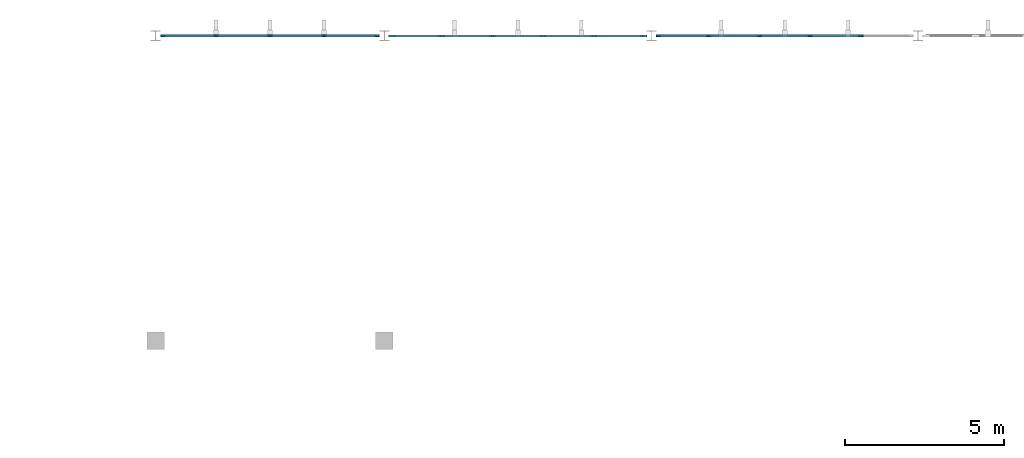
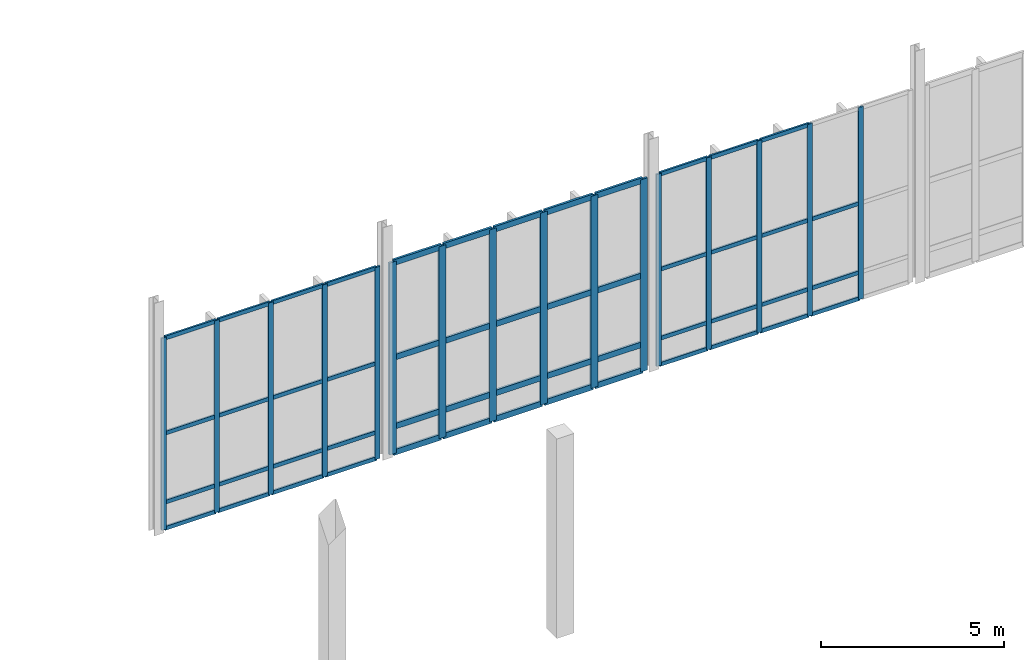
# One storey, part 30 of 67: 67 members, 3 elements without a shape of their own.
"""IFC4 building model written with IfcOpenShell, lengths in metres."""

from ifc_helpers import new_model, si_unit, direction, frame, origin, origin_2d, place, context, subcontext, project, spatial, rectangle, extrude, material, material_profile, profile_set, type_object, element, aggregate, save


model = new_model("IFC4")

# Units and contexts
model_context = context("Model", 3, precision=1e-05, world=origin(), true_north=direction((0.0, 1.0)))
body_context = subcontext(model_context, "Body", "Model", "MODEL_VIEW")
ifc_project = project(units=[si_unit("LENGTHUNIT", "METRE"), si_unit("AREAUNIT", "SQUARE_METRE"), si_unit("VOLUMEUNIT", "CUBIC_METRE"), si_unit("PLANEANGLEUNIT", "RADIAN"), si_unit("MASSUNIT", "GRAM", prefix="KILO")], contexts=[model_context])

# Site, building, storey
site_placement = place(None, origin())
site = spatial("IfcSite", under=ifc_project, at=site_placement, CompositionType="ELEMENT")
building_placement = place(site_placement, origin())
building = spatial("IfcBuilding", under=site, at=building_placement, Name="Tizgana Railside Sports Hall", CompositionType="ELEMENT")
storey_placement = place(building_placement, frame((0.0, 0.0, 12.0)))
storey = spatial("IfcBuildingStorey", under=building, at=storey_placement, Name="L02", CompositionType="ELEMENT", Elevation=12.0)

# Curtain wall, members
ifc_material_1 = material(Name="Anodised aluminium and glass", Category="aluminium")
curtain_wall_type_1 = type_object("IfcCurtainWallType", Name="Unitised Curtain Wall Climbing 1600", PredefinedType="NOTDEFINED", material=ifc_material_1)
curtain_wall_1_placement = place(storey_placement, origin())
curtain_wall_1 = element("IfcCurtainWall", 1, at=curtain_wall_1_placement, inside=storey, type_object=curtain_wall_type_1, Name="L02 Curtain Wall CW-0043", PredefinedType="NOTDEFINED")
ifc_material_2 = material(Name="Anodised aluminium", Category="aluminium")
ifc_material_profile_1 = material_profile(ifc_material_2, rectangle(XDim=0.06005859375, YDim=0.159912109375, at=origin_2d()), Name="Mullion 60x160")
ifc_profile_set_1 = profile_set([ifc_material_profile_1], Name="Anodised aluminium")
member_type_1 = type_object("IfcMemberType", Name="Mullion 60x160", PredefinedType="MULLION", material=ifc_profile_set_1)
member_1_placement = place(storey_placement, frame((134.034912109375, 117.60009765625, 0.0), z_axis=(0.0, 0.0, 1.0), x_axis=(0.0, 1.0, 0.0)))
member_1 = element("IfcMember", 2, at=member_1_placement, type_object=member_type_1, Name="CW-04 mullion 1", PredefinedType="MULLION", context=body_context, shape_type="SweptSolid", body=[
    extrude(rectangle(XDim=0.06005859375, YDim=0.159912109375, at=origin_2d()), origin(), (0.0, 0.0, 1.0), 6.39990234375),
])
member_2_placement = place(storey_placement, frame((135.702392578125, 117.60009765625, 0.0), z_axis=(0.0, 0.0, 1.0), x_axis=(0.0, 1.0, 0.0)))
member_2 = element("IfcMember", 3, at=member_2_placement, type_object=member_type_1, Name="CW-04 mullion 2", PredefinedType="MULLION", context=body_context, shape_type="SweptSolid", body=[
    extrude(rectangle(XDim=0.06005859375, YDim=0.159912109375, at=origin_2d()), origin(), (0.0, 0.0, 1.0), 6.39990234375),
])
member_3_placement = place(storey_placement, frame((137.39990234375, 117.60009765625, 0.0), z_axis=(0.0, 0.0, 1.0), x_axis=(0.0, 1.0, 0.0)))
member_3 = element("IfcMember", 4, at=member_3_placement, type_object=member_type_1, Name="CW-04 mullion 3", PredefinedType="MULLION", context=body_context, shape_type="SweptSolid", body=[
    extrude(rectangle(XDim=0.06005859375, YDim=0.159912109375, at=origin_2d()), origin(), (0.0, 0.0, 1.0), 6.39990234375),
])
member_4_placement = place(storey_placement, frame((139.097412109375, 117.60009765625, 0.0), z_axis=(0.0, 0.0, 1.0), x_axis=(0.0, 1.0, 0.0)))
member_4 = element("IfcMember", 5, at=member_4_placement, type_object=member_type_1, Name="CW-04 mullion 4", PredefinedType="MULLION", context=body_context, shape_type="SweptSolid", body=[
    extrude(rectangle(XDim=0.06005859375, YDim=0.159912109375, at=origin_2d()), origin(), (0.0, 0.0, 1.0), 6.39990234375),
])
member_5_placement = place(storey_placement, frame((140.764892578125, 117.60009765625, 0.0), z_axis=(0.0, 0.0, 1.0), x_axis=(0.0, 1.0, 0.0)))
member_5 = element("IfcMember", 6, at=member_5_placement, type_object=member_type_1, Name="CW-04 mullion 5", PredefinedType="MULLION", context=body_context, shape_type="SweptSolid", body=[
    extrude(rectangle(XDim=0.06005859375, YDim=0.159912109375, at=origin_2d()), origin(), (0.0, 0.0, 1.0), 6.39990234375),
])

curtain_wall_type_2 = type_object("IfcCurtainWallType", Name="Unitised Curtain Wall Foyer 1300", PredefinedType="NOTDEFINED", material=ifc_material_1)
curtain_wall_2_placement = place(storey_placement, origin())
curtain_wall_2 = element("IfcCurtainWall", 7, at=curtain_wall_2_placement, inside=storey, type_object=curtain_wall_type_2, Name="L02 Curtain Wall CW-0049", PredefinedType="NOTDEFINED")
member_6_placement = place(storey_placement, frame((149.635009765625, 117.60009765625, 0.0), z_axis=(0.0, 0.0, 1.0), x_axis=(0.0, 1.0, 0.0)))
member_6 = element("IfcMember", 8, at=member_6_placement, type_object=member_type_1, Name="CW-02 mullion 1", PredefinedType="MULLION", context=body_context, shape_type="SweptSolid", body=[
    extrude(rectangle(XDim=0.06005859375, YDim=0.159912109375, at=origin_2d()), origin(), (0.0, 0.0, 1.0), 6.39990234375),
])
member_7_placement = place(storey_placement, frame((151.202880859375, 117.60009765625, 0.0), z_axis=(0.0, 0.0, 1.0), x_axis=(0.0, 1.0, 0.0)))
member_7 = element("IfcMember", 9, at=member_7_placement, type_object=member_type_1, Name="CW-02 mullion 2", PredefinedType="MULLION", context=body_context, shape_type="SweptSolid", body=[
    extrude(rectangle(XDim=0.06005859375, YDim=0.159912109375, at=origin_2d()), origin(), (0.0, 0.0, 1.0), 6.39990234375),
])
member_8_placement = place(storey_placement, frame((152.801025390625, 117.60009765625, 0.0), z_axis=(0.0, 0.0, 1.0), x_axis=(0.0, 1.0, 0.0)))
member_8 = element("IfcMember", 10, at=member_8_placement, type_object=member_type_1, Name="CW-02 mullion 3", PredefinedType="MULLION", context=body_context, shape_type="SweptSolid", body=[
    extrude(rectangle(XDim=0.06005859375, YDim=0.159912109375, at=origin_2d()), origin(), (0.0, 0.0, 1.0), 6.39990234375),
])
member_9_placement = place(storey_placement, frame((154.39892578125, 117.60009765625, 0.0), z_axis=(0.0, 0.0, 1.0), x_axis=(0.0, 1.0, 0.0)))
member_9 = element("IfcMember", 11, at=member_9_placement, type_object=member_type_1, Name="CW-02 mullion 4", PredefinedType="MULLION", context=body_context, shape_type="SweptSolid", body=[
    extrude(rectangle(XDim=0.06005859375, YDim=0.159912109375, at=origin_2d()), origin(), (0.0, 0.0, 1.0), 6.39990234375),
])
member_10_placement = place(storey_placement, frame((155.9970703125, 117.60009765625, 0.0), z_axis=(0.0, 0.0, 1.0), x_axis=(0.0, 1.0, 0.0)))
member_10 = element("IfcMember", 12, at=member_10_placement, type_object=member_type_1, Name="CW-02 mullion 5", PredefinedType="MULLION", context=body_context, shape_type="SweptSolid", body=[
    extrude(rectangle(XDim=0.06005859375, YDim=0.159912109375, at=origin_2d()), origin(), (0.0, 0.0, 1.0), 6.39990234375),
])

curtain_wall_type_3 = type_object("IfcCurtainWallType", Name="Unitised Curtain Wall WestHall 1560", PredefinedType="NOTDEFINED", material=ifc_material_1)
curtain_wall_3_placement = place(storey_placement, origin())
curtain_wall_3 = element("IfcCurtainWall", 13, at=curtain_wall_3_placement, inside=storey, type_object=curtain_wall_type_3, Name="L02 Curtain Wall CW-0046", PredefinedType="NOTDEFINED")
ifc_material_profile_2 = material_profile(ifc_material_2, rectangle(XDim=0.070068359375, YDim=0.219970703125, at=origin_2d()), Name="Mullion 70x220")
ifc_profile_set_2 = profile_set([ifc_material_profile_2], Name="Anodised aluminium")
member_type_2 = type_object("IfcMemberType", Name="Mullion 70x220", PredefinedType="MULLION", material=ifc_profile_set_2)
member_11_placement = place(storey_placement, frame((141.239990234375, 117.60009765625, 0.0), z_axis=(0.0, 0.0, 1.0), x_axis=(0.0, 1.0, 0.0)))
member_11 = element("IfcMember", 14, at=member_11_placement, type_object=member_type_2, Name="CW-07 mullion 1", PredefinedType="MULLION", context=body_context, shape_type="SweptSolid", body=[
    extrude(rectangle(XDim=0.070068359375, YDim=0.219970703125, at=origin_2d()), origin(), (0.0, 0.0, 1.0), 6.39990234375),
])
member_12_placement = place(storey_placement, frame((142.802978515625, 117.60009765625, 0.0), z_axis=(0.0, 0.0, 1.0), x_axis=(0.0, 1.0, 0.0)))
member_12 = element("IfcMember", 15, at=member_12_placement, type_object=member_type_2, Name="CW-07 mullion 2", PredefinedType="MULLION", context=body_context, shape_type="SweptSolid", body=[
    extrude(rectangle(XDim=0.070068359375, YDim=0.219970703125, at=origin_2d()), origin(), (0.0, 0.0, 1.0), 6.39990234375),
])
member_13_placement = place(storey_placement, frame((144.40087890625, 117.60009765625, 0.0), z_axis=(0.0, 0.0, 1.0), x_axis=(0.0, 1.0, 0.0)))
member_13 = element("IfcMember", 16, at=member_13_placement, type_object=member_type_2, Name="CW-07 mullion 3", PredefinedType="MULLION", context=body_context, shape_type="SweptSolid", body=[
    extrude(rectangle(XDim=0.070068359375, YDim=0.219970703125, at=origin_2d()), origin(), (0.0, 0.0, 1.0), 6.39990234375),
])
member_14_placement = place(storey_placement, frame((145.9990234375, 117.60009765625, 0.0), z_axis=(0.0, 0.0, 1.0), x_axis=(0.0, 1.0, 0.0)))
member_14 = element("IfcMember", 17, at=member_14_placement, type_object=member_type_2, Name="CW-07 mullion 4", PredefinedType="MULLION", context=body_context, shape_type="SweptSolid", body=[
    extrude(rectangle(XDim=0.070068359375, YDim=0.219970703125, at=origin_2d()), origin(), (0.0, 0.0, 1.0), 6.39990234375),
])
member_15_placement = place(storey_placement, frame((147.596923828125, 117.60009765625, 0.0), z_axis=(0.0, 0.0, 1.0), x_axis=(0.0, 1.0, 0.0)))
member_15 = element("IfcMember", 18, at=member_15_placement, type_object=member_type_2, Name="CW-07 mullion 5", PredefinedType="MULLION", context=body_context, shape_type="SweptSolid", body=[
    extrude(rectangle(XDim=0.070068359375, YDim=0.219970703125, at=origin_2d()), origin(), (0.0, 0.0, 1.0), 6.39990234375),
])
member_16_placement = place(storey_placement, frame((149.159912109375, 117.60009765625, 0.0), z_axis=(0.0, 0.0, 1.0), x_axis=(0.0, 1.0, 0.0)))
member_16 = element("IfcMember", 19, at=member_16_placement, type_object=member_type_2, Name="CW-07 mullion 6", PredefinedType="MULLION", context=body_context, shape_type="SweptSolid", body=[
    extrude(rectangle(XDim=0.070068359375, YDim=0.219970703125, at=origin_2d()), origin(), (0.0, 0.0, 1.0), 6.39990234375),
])

# Member
ifc_material_profile_3 = material_profile(ifc_material_2, rectangle(XDim=0.06005859375, YDim=0.1298828125, at=origin_2d()), Name="Transom 60x130")
ifc_profile_set_3 = profile_set([ifc_material_profile_3], Name="Anodised aluminium")
member_type_3 = type_object("IfcMemberType", Name="Transom 60x130", PredefinedType="USERDEFINED", material=ifc_profile_set_3)
member_17_placement = place(storey_placement, frame((134.06494140625, 117.60009765625, 0.030029296875), z_axis=(1.0, 0.0, 0.0), x_axis=(0.0, 1.0, 0.0)))
member_17 = element("IfcMember", 20, at=member_17_placement, type_object=member_type_3, Name="CW-04 transom 1.1", ObjectType="TRANSOM", PredefinedType="USERDEFINED", context=body_context, shape_type="SweptSolid", body=[
    extrude(rectangle(XDim=0.06005859375, YDim=0.1298828125, at=origin_2d()), origin(), (0.0, 0.0, 1.0), 1.607666015625),
])

member_18_placement = place(storey_placement, frame((134.06494140625, 117.60009765625, 0.89990234375), z_axis=(1.0, 0.0, 0.0), x_axis=(0.0, 1.0, 0.0)))
member_18 = element("IfcMember", 21, at=member_18_placement, type_object=member_type_3, Name="CW-04 transom 1.2", ObjectType="TRANSOM", PredefinedType="USERDEFINED", context=body_context, shape_type="SweptSolid", body=[
    extrude(rectangle(XDim=0.06005859375, YDim=0.1298828125, at=origin_2d()), origin(), (0.0, 0.0, 1.0), 1.607666015625),
])

member_19_placement = place(storey_placement, frame((134.06494140625, 117.60009765625, 3.199951171875), z_axis=(1.0, 0.0, 0.0), x_axis=(0.0, 1.0, 0.0)))
member_19 = element("IfcMember", 22, at=member_19_placement, type_object=member_type_3, Name="CW-04 transom 1.3", ObjectType="TRANSOM", PredefinedType="USERDEFINED", context=body_context, shape_type="SweptSolid", body=[
    extrude(rectangle(XDim=0.06005859375, YDim=0.1298828125, at=origin_2d()), origin(), (0.0, 0.0, 1.0), 1.607666015625),
])

member_20_placement = place(storey_placement, frame((134.06494140625, 117.60009765625, 6.3701171875), z_axis=(1.0, 0.0, 0.0), x_axis=(0.0, 1.0, 0.0)))
member_20 = element("IfcMember", 23, at=member_20_placement, type_object=member_type_3, Name="CW-04 transom 1.4", ObjectType="TRANSOM", PredefinedType="USERDEFINED", context=body_context, shape_type="SweptSolid", body=[
    extrude(rectangle(XDim=0.06005859375, YDim=0.1298828125, at=origin_2d()), origin(), (0.0, 0.0, 1.0), 1.607666015625),
])

member_21_placement = place(storey_placement, frame((135.732421875, 117.60009765625, 0.030029296875), z_axis=(1.0, 0.0, 0.0), x_axis=(0.0, 1.0, 0.0)))
member_21 = element("IfcMember", 24, at=member_21_placement, type_object=member_type_3, Name="CW-04 transom 2.1", ObjectType="TRANSOM", PredefinedType="USERDEFINED", context=body_context, shape_type="SweptSolid", body=[
    extrude(rectangle(XDim=0.06005859375, YDim=0.1298828125, at=origin_2d()), origin(), (0.0, 0.0, 1.0), 1.6376953125),
])

member_22_placement = place(storey_placement, frame((135.732421875, 117.60009765625, 0.89990234375), z_axis=(1.0, 0.0, 0.0), x_axis=(0.0, 1.0, 0.0)))
member_22 = element("IfcMember", 25, at=member_22_placement, type_object=member_type_3, Name="CW-04 transom 2.2", ObjectType="TRANSOM", PredefinedType="USERDEFINED", context=body_context, shape_type="SweptSolid", body=[
    extrude(rectangle(XDim=0.06005859375, YDim=0.1298828125, at=origin_2d()), origin(), (0.0, 0.0, 1.0), 1.6376953125),
])

member_23_placement = place(storey_placement, frame((135.732421875, 117.60009765625, 3.199951171875), z_axis=(1.0, 0.0, 0.0), x_axis=(0.0, 1.0, 0.0)))
member_23 = element("IfcMember", 26, at=member_23_placement, type_object=member_type_3, Name="CW-04 transom 2.3", ObjectType="TRANSOM", PredefinedType="USERDEFINED", context=body_context, shape_type="SweptSolid", body=[
    extrude(rectangle(XDim=0.06005859375, YDim=0.1298828125, at=origin_2d()), origin(), (0.0, 0.0, 1.0), 1.6376953125),
])

member_24_placement = place(storey_placement, frame((135.732421875, 117.60009765625, 6.3701171875), z_axis=(1.0, 0.0, 0.0), x_axis=(0.0, 1.0, 0.0)))
member_24 = element("IfcMember", 27, at=member_24_placement, type_object=member_type_3, Name="CW-04 transom 2.4", ObjectType="TRANSOM", PredefinedType="USERDEFINED", context=body_context, shape_type="SweptSolid", body=[
    extrude(rectangle(XDim=0.06005859375, YDim=0.1298828125, at=origin_2d()), origin(), (0.0, 0.0, 1.0), 1.6376953125),
])

member_25_placement = place(storey_placement, frame((137.429931640625, 117.60009765625, 0.030029296875), z_axis=(1.0, 0.0, 0.0), x_axis=(0.0, 1.0, 0.0)))
member_25 = element("IfcMember", 28, at=member_25_placement, type_object=member_type_3, Name="CW-04 transom 3.1", ObjectType="TRANSOM", PredefinedType="USERDEFINED", context=body_context, shape_type="SweptSolid", body=[
    extrude(rectangle(XDim=0.06005859375, YDim=0.1298828125, at=origin_2d()), origin(), (0.0, 0.0, 1.0), 1.637451171875),
])

member_26_placement = place(storey_placement, frame((137.429931640625, 117.60009765625, 0.89990234375), z_axis=(1.0, 0.0, 0.0), x_axis=(0.0, 1.0, 0.0)))
member_26 = element("IfcMember", 29, at=member_26_placement, type_object=member_type_3, Name="CW-04 transom 3.2", ObjectType="TRANSOM", PredefinedType="USERDEFINED", context=body_context, shape_type="SweptSolid", body=[
    extrude(rectangle(XDim=0.06005859375, YDim=0.1298828125, at=origin_2d()), origin(), (0.0, 0.0, 1.0), 1.637451171875),
])

member_27_placement = place(storey_placement, frame((137.429931640625, 117.60009765625, 3.199951171875), z_axis=(1.0, 0.0, 0.0), x_axis=(0.0, 1.0, 0.0)))
member_27 = element("IfcMember", 30, at=member_27_placement, type_object=member_type_3, Name="CW-04 transom 3.3", ObjectType="TRANSOM", PredefinedType="USERDEFINED", context=body_context, shape_type="SweptSolid", body=[
    extrude(rectangle(XDim=0.06005859375, YDim=0.1298828125, at=origin_2d()), origin(), (0.0, 0.0, 1.0), 1.637451171875),
])

member_28_placement = place(storey_placement, frame((137.429931640625, 117.60009765625, 6.3701171875), z_axis=(1.0, 0.0, 0.0), x_axis=(0.0, 1.0, 0.0)))
member_28 = element("IfcMember", 31, at=member_28_placement, type_object=member_type_3, Name="CW-04 transom 3.4", ObjectType="TRANSOM", PredefinedType="USERDEFINED", context=body_context, shape_type="SweptSolid", body=[
    extrude(rectangle(XDim=0.06005859375, YDim=0.1298828125, at=origin_2d()), origin(), (0.0, 0.0, 1.0), 1.637451171875),
])

member_29_placement = place(storey_placement, frame((139.12744140625, 117.60009765625, 0.030029296875), z_axis=(1.0, 0.0, 0.0), x_axis=(0.0, 1.0, 0.0)))
member_29 = element("IfcMember", 32, at=member_29_placement, type_object=member_type_3, Name="CW-04 transom 4.1", ObjectType="TRANSOM", PredefinedType="USERDEFINED", context=body_context, shape_type="SweptSolid", body=[
    extrude(rectangle(XDim=0.06005859375, YDim=0.1298828125, at=origin_2d()), origin(), (0.0, 0.0, 1.0), 1.607666015625),
])

member_30_placement = place(storey_placement, frame((139.12744140625, 117.60009765625, 0.89990234375), z_axis=(1.0, 0.0, 0.0), x_axis=(0.0, 1.0, 0.0)))
member_30 = element("IfcMember", 33, at=member_30_placement, type_object=member_type_3, Name="CW-04 transom 4.2", ObjectType="TRANSOM", PredefinedType="USERDEFINED", context=body_context, shape_type="SweptSolid", body=[
    extrude(rectangle(XDim=0.06005859375, YDim=0.1298828125, at=origin_2d()), origin(), (0.0, 0.0, 1.0), 1.607666015625),
])

member_31_placement = place(storey_placement, frame((139.12744140625, 117.60009765625, 3.199951171875), z_axis=(1.0, 0.0, 0.0), x_axis=(0.0, 1.0, 0.0)))
member_31 = element("IfcMember", 34, at=member_31_placement, type_object=member_type_3, Name="CW-04 transom 4.3", ObjectType="TRANSOM", PredefinedType="USERDEFINED", context=body_context, shape_type="SweptSolid", body=[
    extrude(rectangle(XDim=0.06005859375, YDim=0.1298828125, at=origin_2d()), origin(), (0.0, 0.0, 1.0), 1.607666015625),
])

member_32_placement = place(storey_placement, frame((139.12744140625, 117.60009765625, 6.3701171875), z_axis=(1.0, 0.0, 0.0), x_axis=(0.0, 1.0, 0.0)))
member_32 = element("IfcMember", 35, at=member_32_placement, type_object=member_type_3, Name="CW-04 transom 4.4", ObjectType="TRANSOM", PredefinedType="USERDEFINED", context=body_context, shape_type="SweptSolid", body=[
    extrude(rectangle(XDim=0.06005859375, YDim=0.1298828125, at=origin_2d()), origin(), (0.0, 0.0, 1.0), 1.607666015625),
])

aggregate(curtain_wall_1, [member_1, member_2, member_3, member_4, member_5, member_17, member_18, member_19, member_20, member_21, member_22, member_23, member_24, member_25, member_26, member_27, member_28, member_29, member_30, member_31, member_32])

member_33_placement = place(storey_placement, frame((149.6650390625, 117.60009765625, 0.030029296875), z_axis=(1.0, 0.0, 0.0), x_axis=(0.0, 1.0, 0.0)))
member_33 = element("IfcMember", 36, at=member_33_placement, type_object=member_type_3, Name="CW-02 transom 1.1", ObjectType="TRANSOM", PredefinedType="USERDEFINED", context=body_context, shape_type="SweptSolid", body=[
    extrude(rectangle(XDim=0.06005859375, YDim=0.1298828125, at=origin_2d()), origin(), (0.0, 0.0, 1.0), 1.508056640625),
])

member_34_placement = place(storey_placement, frame((149.6650390625, 117.60009765625, 0.89990234375), z_axis=(1.0, 0.0, 0.0), x_axis=(0.0, 1.0, 0.0)))
member_34 = element("IfcMember", 37, at=member_34_placement, type_object=member_type_3, Name="CW-02 transom 1.2", ObjectType="TRANSOM", PredefinedType="USERDEFINED", context=body_context, shape_type="SweptSolid", body=[
    extrude(rectangle(XDim=0.06005859375, YDim=0.1298828125, at=origin_2d()), origin(), (0.0, 0.0, 1.0), 1.508056640625),
])

member_35_placement = place(storey_placement, frame((149.6650390625, 117.60009765625, 3.199951171875), z_axis=(1.0, 0.0, 0.0), x_axis=(0.0, 1.0, 0.0)))
member_35 = element("IfcMember", 38, at=member_35_placement, type_object=member_type_3, Name="CW-02 transom 1.3", ObjectType="TRANSOM", PredefinedType="USERDEFINED", context=body_context, shape_type="SweptSolid", body=[
    extrude(rectangle(XDim=0.06005859375, YDim=0.1298828125, at=origin_2d()), origin(), (0.0, 0.0, 1.0), 1.508056640625),
])

member_36_placement = place(storey_placement, frame((149.6650390625, 117.60009765625, 6.3701171875), z_axis=(1.0, 0.0, 0.0), x_axis=(0.0, 1.0, 0.0)))
member_36 = element("IfcMember", 39, at=member_36_placement, type_object=member_type_3, Name="CW-02 transom 1.4", ObjectType="TRANSOM", PredefinedType="USERDEFINED", context=body_context, shape_type="SweptSolid", body=[
    extrude(rectangle(XDim=0.06005859375, YDim=0.1298828125, at=origin_2d()), origin(), (0.0, 0.0, 1.0), 1.508056640625),
])

member_37_placement = place(storey_placement, frame((151.23291015625, 117.60009765625, 0.030029296875), z_axis=(1.0, 0.0, 0.0), x_axis=(0.0, 1.0, 0.0)))
member_37 = element("IfcMember", 40, at=member_37_placement, type_object=member_type_3, Name="CW-02 transom 2.1", ObjectType="TRANSOM", PredefinedType="USERDEFINED", context=body_context, shape_type="SweptSolid", body=[
    extrude(rectangle(XDim=0.06005859375, YDim=0.1298828125, at=origin_2d()), origin(), (0.0, 0.0, 1.0), 1.5380859375),
])

member_38_placement = place(storey_placement, frame((151.23291015625, 117.60009765625, 0.89990234375), z_axis=(1.0, 0.0, 0.0), x_axis=(0.0, 1.0, 0.0)))
member_38 = element("IfcMember", 41, at=member_38_placement, type_object=member_type_3, Name="CW-02 transom 2.2", ObjectType="TRANSOM", PredefinedType="USERDEFINED", context=body_context, shape_type="SweptSolid", body=[
    extrude(rectangle(XDim=0.06005859375, YDim=0.1298828125, at=origin_2d()), origin(), (0.0, 0.0, 1.0), 1.5380859375),
])

member_39_placement = place(storey_placement, frame((151.23291015625, 117.60009765625, 3.199951171875), z_axis=(1.0, 0.0, 0.0), x_axis=(0.0, 1.0, 0.0)))
member_39 = element("IfcMember", 42, at=member_39_placement, type_object=member_type_3, Name="CW-02 transom 2.3", ObjectType="TRANSOM", PredefinedType="USERDEFINED", context=body_context, shape_type="SweptSolid", body=[
    extrude(rectangle(XDim=0.06005859375, YDim=0.1298828125, at=origin_2d()), origin(), (0.0, 0.0, 1.0), 1.5380859375),
])

member_40_placement = place(storey_placement, frame((151.23291015625, 117.60009765625, 6.3701171875), z_axis=(1.0, 0.0, 0.0), x_axis=(0.0, 1.0, 0.0)))
member_40 = element("IfcMember", 43, at=member_40_placement, type_object=member_type_3, Name="CW-02 transom 2.4", ObjectType="TRANSOM", PredefinedType="USERDEFINED", context=body_context, shape_type="SweptSolid", body=[
    extrude(rectangle(XDim=0.06005859375, YDim=0.1298828125, at=origin_2d()), origin(), (0.0, 0.0, 1.0), 1.5380859375),
])

member_41_placement = place(storey_placement, frame((152.8310546875, 117.60009765625, 0.030029296875), z_axis=(1.0, 0.0, 0.0), x_axis=(0.0, 1.0, 0.0)))
member_41 = element("IfcMember", 44, at=member_41_placement, type_object=member_type_3, Name="CW-02 transom 3.1", ObjectType="TRANSOM", PredefinedType="USERDEFINED", context=body_context, shape_type="SweptSolid", body=[
    extrude(rectangle(XDim=0.06005859375, YDim=0.1298828125, at=origin_2d()), origin(), (0.0, 0.0, 1.0), 1.537841796875),
])

member_42_placement = place(storey_placement, frame((152.8310546875, 117.60009765625, 0.89990234375), z_axis=(1.0, 0.0, 0.0), x_axis=(0.0, 1.0, 0.0)))
member_42 = element("IfcMember", 45, at=member_42_placement, type_object=member_type_3, Name="CW-02 transom 3.2", ObjectType="TRANSOM", PredefinedType="USERDEFINED", context=body_context, shape_type="SweptSolid", body=[
    extrude(rectangle(XDim=0.06005859375, YDim=0.1298828125, at=origin_2d()), origin(), (0.0, 0.0, 1.0), 1.537841796875),
])

member_43_placement = place(storey_placement, frame((152.8310546875, 117.60009765625, 3.199951171875), z_axis=(1.0, 0.0, 0.0), x_axis=(0.0, 1.0, 0.0)))
member_43 = element("IfcMember", 46, at=member_43_placement, type_object=member_type_3, Name="CW-02 transom 3.3", ObjectType="TRANSOM", PredefinedType="USERDEFINED", context=body_context, shape_type="SweptSolid", body=[
    extrude(rectangle(XDim=0.06005859375, YDim=0.1298828125, at=origin_2d()), origin(), (0.0, 0.0, 1.0), 1.537841796875),
])

member_44_placement = place(storey_placement, frame((152.8310546875, 117.60009765625, 6.3701171875), z_axis=(1.0, 0.0, 0.0), x_axis=(0.0, 1.0, 0.0)))
member_44 = element("IfcMember", 47, at=member_44_placement, type_object=member_type_3, Name="CW-02 transom 3.4", ObjectType="TRANSOM", PredefinedType="USERDEFINED", context=body_context, shape_type="SweptSolid", body=[
    extrude(rectangle(XDim=0.06005859375, YDim=0.1298828125, at=origin_2d()), origin(), (0.0, 0.0, 1.0), 1.537841796875),
])

member_45_placement = place(storey_placement, frame((154.428955078125, 117.60009765625, 0.030029296875), z_axis=(1.0, 0.0, 0.0), x_axis=(0.0, 1.0, 0.0)))
member_45 = element("IfcMember", 48, at=member_45_placement, type_object=member_type_3, Name="CW-02 transom 4.1", ObjectType="TRANSOM", PredefinedType="USERDEFINED", context=body_context, shape_type="SweptSolid", body=[
    extrude(rectangle(XDim=0.06005859375, YDim=0.1298828125, at=origin_2d()), origin(), (0.0, 0.0, 1.0), 1.5380859375),
])

member_46_placement = place(storey_placement, frame((154.428955078125, 117.60009765625, 0.89990234375), z_axis=(1.0, 0.0, 0.0), x_axis=(0.0, 1.0, 0.0)))
member_46 = element("IfcMember", 49, at=member_46_placement, type_object=member_type_3, Name="CW-02 transom 4.2", ObjectType="TRANSOM", PredefinedType="USERDEFINED", context=body_context, shape_type="SweptSolid", body=[
    extrude(rectangle(XDim=0.06005859375, YDim=0.1298828125, at=origin_2d()), origin(), (0.0, 0.0, 1.0), 1.5380859375),
])

member_47_placement = place(storey_placement, frame((154.428955078125, 117.60009765625, 3.199951171875), z_axis=(1.0, 0.0, 0.0), x_axis=(0.0, 1.0, 0.0)))
member_47 = element("IfcMember", 50, at=member_47_placement, type_object=member_type_3, Name="CW-02 transom 4.3", ObjectType="TRANSOM", PredefinedType="USERDEFINED", context=body_context, shape_type="SweptSolid", body=[
    extrude(rectangle(XDim=0.06005859375, YDim=0.1298828125, at=origin_2d()), origin(), (0.0, 0.0, 1.0), 1.5380859375),
])

aggregate(curtain_wall_2, [member_6, member_7, member_8, member_9, member_10, member_33, member_34, member_35, member_36, member_37, member_38, member_39, member_40, member_41, member_42, member_43, member_44, member_45, member_46, member_47])

ifc_material_profile_4 = material_profile(ifc_material_2, rectangle(XDim=0.070068359375, YDim=0.18994140625, at=origin_2d()), Name="Transom 70x190")
ifc_profile_set_4 = profile_set([ifc_material_profile_4], Name="Anodised aluminium")
member_type_4 = type_object("IfcMemberType", Name="Transom 70x190", PredefinedType="USERDEFINED", material=ifc_profile_set_4)
member_48_placement = place(storey_placement, frame((141.27490234375, 117.60009765625, 0.034912109375), z_axis=(1.0, 0.0, 0.0), x_axis=(0.0, 1.0, 0.0)))
member_48 = element("IfcMember", 51, at=member_48_placement, type_object=member_type_4, Name="CW-07 transom 1.1", ObjectType="TRANSOM", PredefinedType="USERDEFINED", context=body_context, shape_type="SweptSolid", body=[
    extrude(rectangle(XDim=0.070068359375, YDim=0.18994140625, at=origin_2d()), origin(), (0.0, 0.0, 1.0), 1.4931640625),
])

member_49_placement = place(storey_placement, frame((141.27490234375, 117.60009765625, 0.89990234375), z_axis=(1.0, 0.0, 0.0), x_axis=(0.0, 1.0, 0.0)))
member_49 = element("IfcMember", 52, at=member_49_placement, type_object=member_type_4, Name="CW-07 transom 1.2", ObjectType="TRANSOM", PredefinedType="USERDEFINED", context=body_context, shape_type="SweptSolid", body=[
    extrude(rectangle(XDim=0.070068359375, YDim=0.18994140625, at=origin_2d()), origin(), (0.0, 0.0, 1.0), 1.4931640625),
])

member_50_placement = place(storey_placement, frame((141.27490234375, 117.60009765625, 3.199951171875), z_axis=(1.0, 0.0, 0.0), x_axis=(0.0, 1.0, 0.0)))
member_50 = element("IfcMember", 53, at=member_50_placement, type_object=member_type_4, Name="CW-07 transom 1.3", ObjectType="TRANSOM", PredefinedType="USERDEFINED", context=body_context, shape_type="SweptSolid", body=[
    extrude(rectangle(XDim=0.070068359375, YDim=0.18994140625, at=origin_2d()), origin(), (0.0, 0.0, 1.0), 1.4931640625),
])

member_51_placement = place(storey_placement, frame((141.27490234375, 117.60009765625, 6.364990234375), z_axis=(1.0, 0.0, 0.0), x_axis=(0.0, 1.0, 0.0)))
member_51 = element("IfcMember", 54, at=member_51_placement, type_object=member_type_4, Name="CW-07 transom 1.4", ObjectType="TRANSOM", PredefinedType="USERDEFINED", context=body_context, shape_type="SweptSolid", body=[
    extrude(rectangle(XDim=0.070068359375, YDim=0.18994140625, at=origin_2d()), origin(), (0.0, 0.0, 1.0), 1.4931640625),
])

member_52_placement = place(storey_placement, frame((142.837890625, 117.60009765625, 0.034912109375), z_axis=(1.0, 0.0, 0.0), x_axis=(0.0, 1.0, 0.0)))
member_52 = element("IfcMember", 55, at=member_52_placement, type_object=member_type_4, Name="CW-07 transom 2.1", ObjectType="TRANSOM", PredefinedType="USERDEFINED", context=body_context, shape_type="SweptSolid", body=[
    extrude(rectangle(XDim=0.070068359375, YDim=0.18994140625, at=origin_2d()), origin(), (0.0, 0.0, 1.0), 1.528076171875),
])

member_53_placement = place(storey_placement, frame((142.837890625, 117.60009765625, 0.89990234375), z_axis=(1.0, 0.0, 0.0), x_axis=(0.0, 1.0, 0.0)))
member_53 = element("IfcMember", 56, at=member_53_placement, type_object=member_type_4, Name="CW-07 transom 2.2", ObjectType="TRANSOM", PredefinedType="USERDEFINED", context=body_context, shape_type="SweptSolid", body=[
    extrude(rectangle(XDim=0.070068359375, YDim=0.18994140625, at=origin_2d()), origin(), (0.0, 0.0, 1.0), 1.528076171875),
])

member_54_placement = place(storey_placement, frame((142.837890625, 117.60009765625, 3.199951171875), z_axis=(1.0, 0.0, 0.0), x_axis=(0.0, 1.0, 0.0)))
member_54 = element("IfcMember", 57, at=member_54_placement, type_object=member_type_4, Name="CW-07 transom 2.3", ObjectType="TRANSOM", PredefinedType="USERDEFINED", context=body_context, shape_type="SweptSolid", body=[
    extrude(rectangle(XDim=0.070068359375, YDim=0.18994140625, at=origin_2d()), origin(), (0.0, 0.0, 1.0), 1.528076171875),
])

member_55_placement = place(storey_placement, frame((142.837890625, 117.60009765625, 6.364990234375), z_axis=(1.0, 0.0, 0.0), x_axis=(0.0, 1.0, 0.0)))
member_55 = element("IfcMember", 58, at=member_55_placement, type_object=member_type_4, Name="CW-07 transom 2.4", ObjectType="TRANSOM", PredefinedType="USERDEFINED", context=body_context, shape_type="SweptSolid", body=[
    extrude(rectangle(XDim=0.070068359375, YDim=0.18994140625, at=origin_2d()), origin(), (0.0, 0.0, 1.0), 1.528076171875),
])

member_56_placement = place(storey_placement, frame((144.43603515625, 117.60009765625, 0.034912109375), z_axis=(1.0, 0.0, 0.0), x_axis=(0.0, 1.0, 0.0)))
member_56 = element("IfcMember", 59, at=member_56_placement, type_object=member_type_4, Name="CW-07 transom 3.1", ObjectType="TRANSOM", PredefinedType="USERDEFINED", context=body_context, shape_type="SweptSolid", body=[
    extrude(rectangle(XDim=0.070068359375, YDim=0.18994140625, at=origin_2d()), origin(), (0.0, 0.0, 1.0), 1.528076171875),
])

member_57_placement = place(storey_placement, frame((144.43603515625, 117.60009765625, 0.89990234375), z_axis=(1.0, 0.0, 0.0), x_axis=(0.0, 1.0, 0.0)))
member_57 = element("IfcMember", 60, at=member_57_placement, type_object=member_type_4, Name="CW-07 transom 3.2", ObjectType="TRANSOM", PredefinedType="USERDEFINED", context=body_context, shape_type="SweptSolid", body=[
    extrude(rectangle(XDim=0.070068359375, YDim=0.18994140625, at=origin_2d()), origin(), (0.0, 0.0, 1.0), 1.528076171875),
])

member_58_placement = place(storey_placement, frame((144.43603515625, 117.60009765625, 3.199951171875), z_axis=(1.0, 0.0, 0.0), x_axis=(0.0, 1.0, 0.0)))
member_58 = element("IfcMember", 61, at=member_58_placement, type_object=member_type_4, Name="CW-07 transom 3.3", ObjectType="TRANSOM", PredefinedType="USERDEFINED", context=body_context, shape_type="SweptSolid", body=[
    extrude(rectangle(XDim=0.070068359375, YDim=0.18994140625, at=origin_2d()), origin(), (0.0, 0.0, 1.0), 1.528076171875),
])

member_59_placement = place(storey_placement, frame((144.43603515625, 117.60009765625, 6.364990234375), z_axis=(1.0, 0.0, 0.0), x_axis=(0.0, 1.0, 0.0)))
member_59 = element("IfcMember", 62, at=member_59_placement, type_object=member_type_4, Name="CW-07 transom 3.4", ObjectType="TRANSOM", PredefinedType="USERDEFINED", context=body_context, shape_type="SweptSolid", body=[
    extrude(rectangle(XDim=0.070068359375, YDim=0.18994140625, at=origin_2d()), origin(), (0.0, 0.0, 1.0), 1.528076171875),
])

member_60_placement = place(storey_placement, frame((146.033935546875, 117.60009765625, 0.034912109375), z_axis=(1.0, 0.0, 0.0), x_axis=(0.0, 1.0, 0.0)))
member_60 = element("IfcMember", 63, at=member_60_placement, type_object=member_type_4, Name="CW-07 transom 4.1", ObjectType="TRANSOM", PredefinedType="USERDEFINED", context=body_context, shape_type="SweptSolid", body=[
    extrude(rectangle(XDim=0.070068359375, YDim=0.18994140625, at=origin_2d()), origin(), (0.0, 0.0, 1.0), 1.528076171875),
])

member_61_placement = place(storey_placement, frame((146.033935546875, 117.60009765625, 0.89990234375), z_axis=(1.0, 0.0, 0.0), x_axis=(0.0, 1.0, 0.0)))
member_61 = element("IfcMember", 64, at=member_61_placement, type_object=member_type_4, Name="CW-07 transom 4.2", ObjectType="TRANSOM", PredefinedType="USERDEFINED", context=body_context, shape_type="SweptSolid", body=[
    extrude(rectangle(XDim=0.070068359375, YDim=0.18994140625, at=origin_2d()), origin(), (0.0, 0.0, 1.0), 1.528076171875),
])

member_62_placement = place(storey_placement, frame((146.033935546875, 117.60009765625, 3.199951171875), z_axis=(1.0, 0.0, 0.0), x_axis=(0.0, 1.0, 0.0)))
member_62 = element("IfcMember", 65, at=member_62_placement, type_object=member_type_4, Name="CW-07 transom 4.3", ObjectType="TRANSOM", PredefinedType="USERDEFINED", context=body_context, shape_type="SweptSolid", body=[
    extrude(rectangle(XDim=0.070068359375, YDim=0.18994140625, at=origin_2d()), origin(), (0.0, 0.0, 1.0), 1.528076171875),
])

member_63_placement = place(storey_placement, frame((146.033935546875, 117.60009765625, 6.364990234375), z_axis=(1.0, 0.0, 0.0), x_axis=(0.0, 1.0, 0.0)))
member_63 = element("IfcMember", 66, at=member_63_placement, type_object=member_type_4, Name="CW-07 transom 4.4", ObjectType="TRANSOM", PredefinedType="USERDEFINED", context=body_context, shape_type="SweptSolid", body=[
    extrude(rectangle(XDim=0.070068359375, YDim=0.18994140625, at=origin_2d()), origin(), (0.0, 0.0, 1.0), 1.528076171875),
])

member_64_placement = place(storey_placement, frame((147.632080078125, 117.60009765625, 0.034912109375), z_axis=(1.0, 0.0, 0.0), x_axis=(0.0, 1.0, 0.0)))
member_64 = element("IfcMember", 67, at=member_64_placement, type_object=member_type_4, Name="CW-07 transom 5.1", ObjectType="TRANSOM", PredefinedType="USERDEFINED", context=body_context, shape_type="SweptSolid", body=[
    extrude(rectangle(XDim=0.070068359375, YDim=0.18994140625, at=origin_2d()), origin(), (0.0, 0.0, 1.0), 1.492919921875),
])

member_65_placement = place(storey_placement, frame((147.632080078125, 117.60009765625, 0.89990234375), z_axis=(1.0, 0.0, 0.0), x_axis=(0.0, 1.0, 0.0)))
member_65 = element("IfcMember", 68, at=member_65_placement, type_object=member_type_4, Name="CW-07 transom 5.2", ObjectType="TRANSOM", PredefinedType="USERDEFINED", context=body_context, shape_type="SweptSolid", body=[
    extrude(rectangle(XDim=0.070068359375, YDim=0.18994140625, at=origin_2d()), origin(), (0.0, 0.0, 1.0), 1.492919921875),
])

member_66_placement = place(storey_placement, frame((147.632080078125, 117.60009765625, 3.199951171875), z_axis=(1.0, 0.0, 0.0), x_axis=(0.0, 1.0, 0.0)))
member_66 = element("IfcMember", 69, at=member_66_placement, type_object=member_type_4, Name="CW-07 transom 5.3", ObjectType="TRANSOM", PredefinedType="USERDEFINED", context=body_context, shape_type="SweptSolid", body=[
    extrude(rectangle(XDim=0.070068359375, YDim=0.18994140625, at=origin_2d()), origin(), (0.0, 0.0, 1.0), 1.492919921875),
])

member_67_placement = place(storey_placement, frame((147.632080078125, 117.60009765625, 6.364990234375), z_axis=(1.0, 0.0, 0.0), x_axis=(0.0, 1.0, 0.0)))
member_67 = element("IfcMember", 70, at=member_67_placement, type_object=member_type_4, Name="CW-07 transom 5.4", ObjectType="TRANSOM", PredefinedType="USERDEFINED", context=body_context, shape_type="SweptSolid", body=[
    extrude(rectangle(XDim=0.070068359375, YDim=0.18994140625, at=origin_2d()), origin(), (0.0, 0.0, 1.0), 1.492919921875),
])

aggregate(curtain_wall_3, [member_11, member_12, member_13, member_14, member_15, member_16, member_48, member_49, member_50, member_51, member_52, member_53, member_54, member_55, member_56, member_57, member_58, member_59, member_60, member_61, member_62, member_63, member_64, member_65, member_66, member_67])

save(model, "model.ifc")
